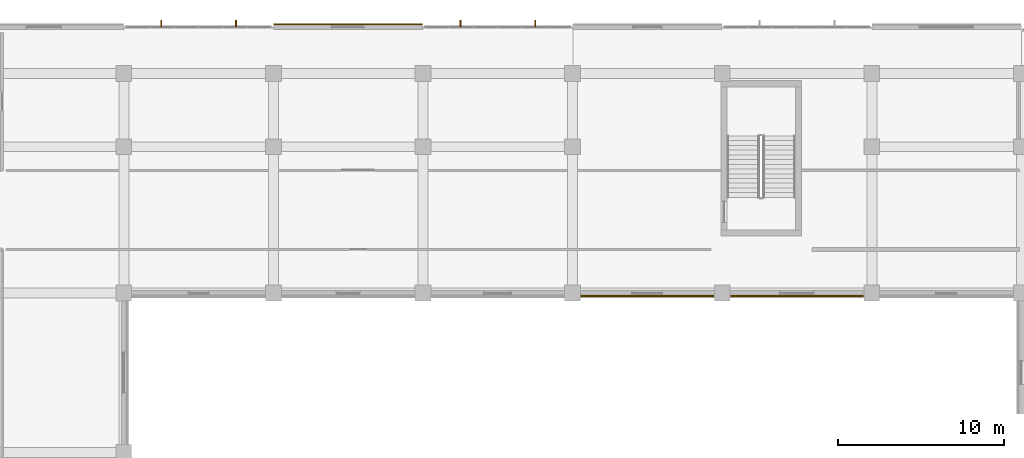
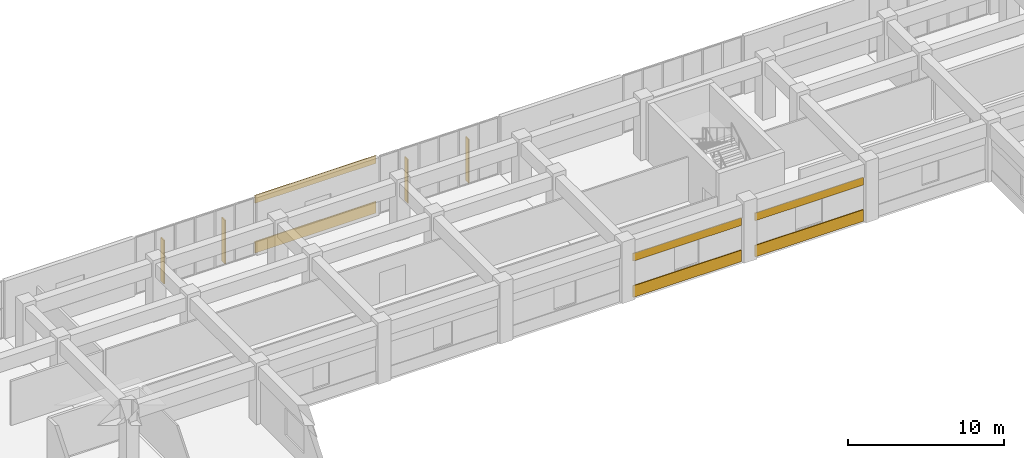
# One storey, part 81 of 86: 6 coverings, 4 shading devices.
"""IFC4 building model written with IfcOpenShell, lengths in metres."""

from ifc_helpers import new_model, si_unit, direction, frame, origin, origin_2d, place, context, subcontext, project, spatial, rectangle, extrude, material, layer, layer_set, type_object, element, save


model = new_model("IFC4")

# Units and contexts
model_context = context("Model", 3, precision=1e-05, world=origin(), true_north=direction((0.0, 1.0)))
body_context = subcontext(model_context, "Body", "Model", "MODEL_VIEW")
ifc_project = project(units=[si_unit("LENGTHUNIT", "METRE"), si_unit("AREAUNIT", "SQUARE_METRE"), si_unit("VOLUMEUNIT", "CUBIC_METRE"), si_unit("PLANEANGLEUNIT", "RADIAN"), si_unit("MASSUNIT", "GRAM", prefix="KILO")], contexts=[model_context])

# Site, building, storey
site_placement = place(None, origin())
site = spatial("IfcSite", under=ifc_project, at=site_placement, CompositionType="ELEMENT")
building_placement = place(site_placement, origin())
building = spatial("IfcBuilding", under=site, at=building_placement, Name="Cendralis Terraced Arcade", CompositionType="ELEMENT")
storey_placement = place(building_placement, frame((0.0, 0.0, 5.39990234375)))
storey = spatial("IfcBuildingStorey", under=building, at=storey_placement, Name="L01", CompositionType="ELEMENT", Elevation=5.39990234375)

# Coverings
ifc_material_1 = material(Name="Precast concrete f'c 40 MPa", Category="concrete")
ifc_layer = layer(ifc_material_1, 0.06494140625, Name="COV-CLAD-GRC-65")
ifc_layer_set = layer_set([ifc_layer], Name="Precast concrete f'c 40 MPa")
covering_type = type_object("IfcCoveringType", Name="COV-CLAD-GRC-65", PredefinedType="CLADDING", material=ifc_layer_set)
covering_1_placement = place(storey_placement, frame((80.699951171875, 114.580078125, 0.000244140625), z_axis=(0.0, 0.0, 1.0), x_axis=(1.0, 0.0, 0.0)))
element("IfcCovering", 1, at=covering_1_placement, inside=storey, type_object=covering_type, Name="Banded Precast Stone Spandrel Cladding L01-141", PredefinedType="CLADDING", context=body_context, shape_type="SweptSolid", body=[
    extrude(rectangle(XDim=8.93994140625, YDim=0.06494140625, at=origin_2d()), origin(), (0.0, 0.0, 1.0), 0.89990234375),
])
covering_2_placement = place(storey_placement, frame((80.699951171875, 114.580078125, 3.885009765625), z_axis=(0.0, 0.0, 1.0), x_axis=(1.0, 0.0, 0.0)))
element("IfcCovering", 2, at=covering_2_placement, inside=storey, type_object=covering_type, Name="Banded Precast Stone Lintel Cladding L01-142", PredefinedType="CLADDING", context=body_context, shape_type="SweptSolid", body=[
    extrude(rectangle(XDim=8.93994140625, YDim=0.06494140625, at=origin_2d()), origin(), (0.0, 0.0, 1.0), 0.60009765625),
])
covering_3_placement = place(storey_placement, frame((107.699951171875, 98.219970703125, 0.000244140625), z_axis=(0.0, 0.0, 1.0), x_axis=(-1.0, 0.0, 0.0)))
element("IfcCovering", 3, at=covering_3_placement, inside=storey, type_object=covering_type, Name="Banded Precast Stone Spandrel Cladding L01-217", PredefinedType="CLADDING", context=body_context, shape_type="SweptSolid", body=[
    extrude(rectangle(XDim=7.993896484375, YDim=0.06494140625, at=origin_2d()), origin(), (0.0, 0.0, 1.0), 0.89990234375),
])
covering_4_placement = place(storey_placement, frame((107.699951171875, 98.219970703125, 2.824951171875), z_axis=(0.0, 0.0, 1.0), x_axis=(-1.0, 0.0, 0.0)))
element("IfcCovering", 4, at=covering_4_placement, inside=storey, type_object=covering_type, Name="Banded Precast Stone Lintel Cladding L01-218", PredefinedType="CLADDING", context=body_context, shape_type="SweptSolid", body=[
    extrude(rectangle(XDim=7.993896484375, YDim=0.06494140625, at=origin_2d()), origin(), (0.0, 0.0, 1.0), 0.60009765625),
])
covering_5_placement = place(storey_placement, frame((98.699951171875, 98.219970703125, 0.000244140625), z_axis=(0.0, 0.0, 1.0), x_axis=(-1.0, 0.0, 0.0)))
element("IfcCovering", 5, at=covering_5_placement, inside=storey, type_object=covering_type, Name="Banded Precast Stone Spandrel Cladding L01-219", PredefinedType="CLADDING", context=body_context, shape_type="SweptSolid", body=[
    extrude(rectangle(XDim=7.993896484375, YDim=0.06494140625, at=origin_2d()), origin(), (0.0, 0.0, 1.0), 0.89990234375),
])
covering_6_placement = place(storey_placement, frame((98.699951171875, 98.219970703125, 2.824951171875), z_axis=(0.0, 0.0, 1.0), x_axis=(-1.0, 0.0, 0.0)))
element("IfcCovering", 6, at=covering_6_placement, inside=storey, type_object=covering_type, Name="Banded Precast Stone Lintel Cladding L01-220", PredefinedType="CLADDING", context=body_context, shape_type="SweptSolid", body=[
    extrude(rectangle(XDim=7.993896484375, YDim=0.06494140625, at=origin_2d()), origin(), (0.0, 0.0, 1.0), 0.60009765625),
])

# Shading devices
ifc_material_2 = material(Name="Anodised aluminium EN AW-6063 T6", Category="aluminium")
shading_device_type = type_object("IfcShadingDeviceType", Name="SHD-FIN-420", PredefinedType="USERDEFINED", material=ifc_material_2)
for number, where, z_axis, x_axis, name in (
    (7, (69.449951171875, 114.614990234375, 0.050048828125), (0.0, 0.0, 1.0), (1.0, 0.0, 0.0), "Parametric Vertical Solar Fin FIN-L01-005"),
    (8, (73.949951171875, 114.614990234375, 0.050048828125), (0.0, 0.0, 1.0), (1.0, 0.0, 0.0), "Parametric Vertical Solar Fin FIN-L01-006"),
    (9, (87.449951171875, 114.614990234375, 0.050048828125), (0.0, 0.0, 1.0), (1.0, 0.0, 0.0), "Parametric Vertical Solar Fin FIN-L01-007"),
    (10, (91.949951171875, 114.614990234375, 0.050048828125), (0.0, 0.0, 1.0), (1.0, 0.0, 0.0), "Parametric Vertical Solar Fin FIN-L01-008"),
):
    element("IfcShadingDevice", number, at=place(storey_placement, frame(where, z_axis=z_axis, x_axis=x_axis)), inside=storey, type_object=shading_device_type, Name=name, ObjectType="FIN", PredefinedType="USERDEFINED", context=body_context, shape_type="SweptSolid", body=[
        extrude(rectangle(XDim=0.074951171875, YDim=0.419921875, at=origin_2d()), origin(), (0.0, 0.0, 1.0), 3.39990234375),
    ])

save(model, "model.ifc")
